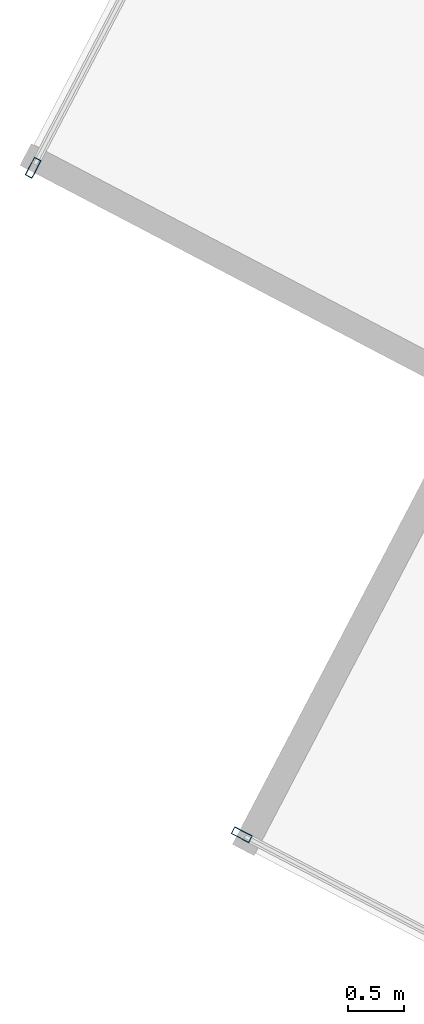
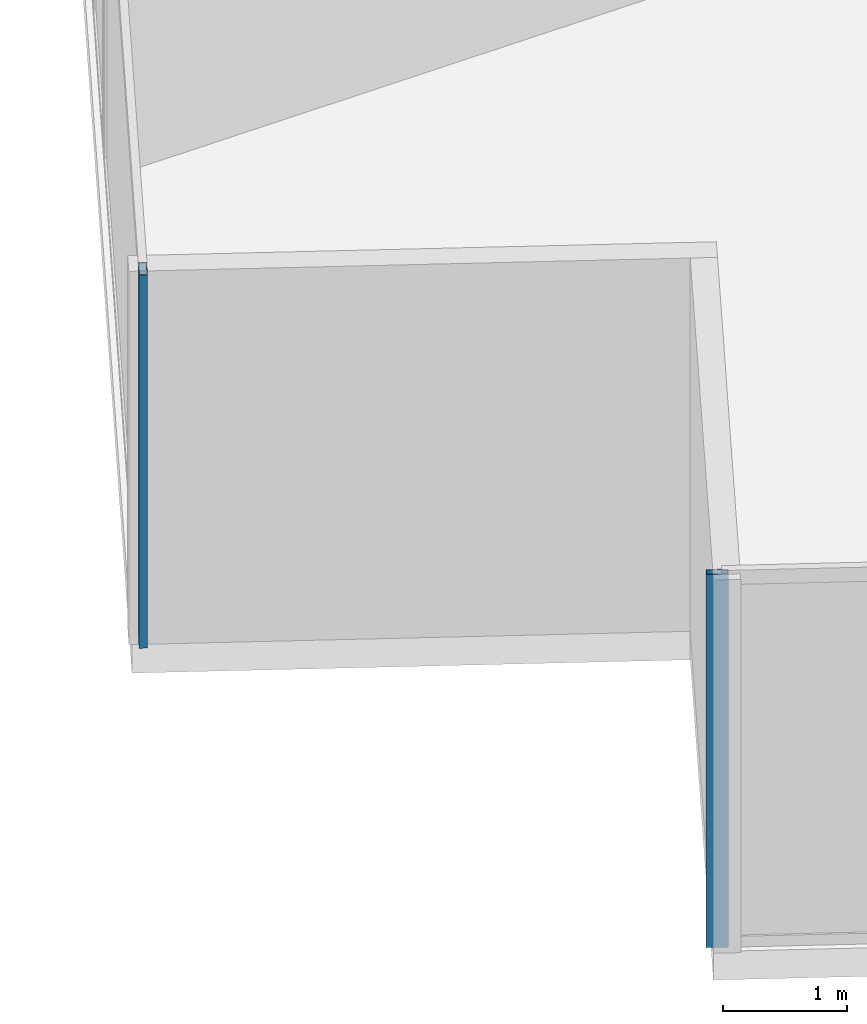
# One storey, part 5 of 27: 2 members, 2 elements without a shape of their own.
"""IFC4 building model written with IfcOpenShell, lengths in metres."""

import ifcopenshell
import ifcopenshell.guid

model = None  # the IFC model being written
_history = None  # IfcOwnerHistory: only IFC2X3 demands one
_inside = {}  # id of a spatial element -> (the spatial element, [elements in it])
_under = {}  # id of a project, library or spatial element -> (it, [spatial elements below it])
_declared = {}  # id of a project -> (the project, [libraries it declares])
_typed = {}  # id of a type object -> (the type object, [elements of that type])
_made_of = {}  # id of a material, layer set ... -> (it, [elements and type objects made of it])


def new_model(schema):
    """Start an empty IFC model of exactly this schema.

    Asked for "IFC4X3", IfcOpenShell would pick the latest addendum, in which some entities
    have other attributes; the version numbers below select the first issue.
    IFC2X3 requires an IfcOwnerHistory on every rooted entity: one is made here for all.
    """
    global model, _history
    if schema == "IFC4X3":
        model = ifcopenshell.file(schema_version=(4, 3, 0, 0))
    else:
        model = ifcopenshell.file(schema=schema)
    _inside.clear()
    _under.clear()
    _declared.clear()
    _typed.clear()
    _made_of.clear()
    _history = None
    if model.schema == "IFC2X3":
        org = make("IfcOrganization", Name="unknown")
        user = make(
            "IfcPersonAndOrganization",
            ThePerson=make("IfcPerson", FamilyName="unknown"),
            TheOrganization=org,
        )
        app = make(
            "IfcApplication",
            ApplicationDeveloper=org,
            Version="unknown",
            ApplicationFullName="unknown",
            ApplicationIdentifier="unknown",
        )
        _history = make(
            "IfcOwnerHistory",
            OwningUser=user,
            OwningApplication=app,
            ChangeAction="ADDED",
            CreationDate=0,
        )
    return model


def make(cls, **values):
    """One entity of the class cls with the attributes given. An attribute that is None is left unset."""
    return model.create_entity(
        cls, **{name: value for name, value in values.items() if value is not None}
    )


def rooted(cls, **values):
    """An entity with a GlobalId (a new one), such as an element, a storey or a relation."""
    return make(cls, GlobalId=ifcopenshell.guid.new(), OwnerHistory=_history, **values)


def si_unit(unit_type, name, prefix=None):
    """IfcSIUnit, for example si_unit("LENGTHUNIT", "METRE", prefix="MILLI")."""
    return make("IfcSIUnit", UnitType=unit_type, Prefix=prefix, Name=name)


def assignment(units):
    """IfcUnitAssignment: the units of a project."""
    return None if units is None else make("IfcUnitAssignment", Units=units)


def point(xyz):
    """IfcCartesianPoint."""
    return None if xyz is None else make("IfcCartesianPoint", Coordinates=xyz)


def direction(xyz):
    """IfcDirection."""
    return None if xyz is None else make("IfcDirection", DirectionRatios=xyz)


def frame(location, z_axis=None, x_axis=None):
    """IfcAxis2Placement3D, a coordinate frame: its origin and axes. An axis left out is left unset."""
    return make(
        "IfcAxis2Placement3D",
        Location=point(location),
        Axis=direction(z_axis),
        RefDirection=direction(x_axis),
    )


def frame_2d(location, x_axis=None):
    """IfcAxis2Placement2D, a coordinate frame in the plane: its origin and x axis."""
    return make(
        "IfcAxis2Placement2D", Location=point(location), RefDirection=direction(x_axis)
    )


def origin():
    """The frame at (0, 0, 0) with its axes left unset."""
    return frame((0.0, 0.0, 0.0))


def origin_2d():
    """The frame at (0, 0) in the plane with its x axis left unset."""
    return frame_2d((0.0, 0.0))


def place(relative_to, where):
    """IfcLocalPlacement: puts the frame where relative to a parent placement (None: the world)."""
    return make(
        "IfcLocalPlacement", PlacementRelTo=relative_to, RelativePlacement=where
    )


def context(
    kind, dimensions, precision=None, world=None, true_north=None, identifier=None
):
    """IfcGeometricRepresentationContext, for example the 3D "Model" context."""
    return make(
        "IfcGeometricRepresentationContext",
        ContextIdentifier=identifier,
        ContextType=kind,
        CoordinateSpaceDimension=dimensions,
        Precision=precision,
        WorldCoordinateSystem=world,
        TrueNorth=true_north,
    )


def subcontext(parent, identifier, kind, view, scale=None):
    """IfcGeometricRepresentationSubContext, for example "Body" below "Model"."""
    return make(
        "IfcGeometricRepresentationSubContext",
        ContextIdentifier=identifier,
        ContextType=kind,
        ParentContext=parent,
        TargetScale=scale,
        TargetView=view,
    )


def project(units=None, contexts=None):
    """IfcProject with its units and contexts."""
    return rooted(
        "IfcProject",
        Name="project",
        RepresentationContexts=contexts,
        UnitsInContext=assignment(units),
    )


def spatial(cls, under=None, at=None, **own):
    """A site, building, storey or space (cls), placed at a placement, below another one or the project."""
    s = rooted(cls, ObjectPlacement=at, **own)
    if under is not None:
        _under.setdefault(under.id(), (under, []))[1].append(s)
    return s


def profile(cls, at=None, kind="AREA", **sizes):
    """A parametric profile (cls). Its sizes go by their IFC names, for example OverallWidth=200.0."""
    return make(cls, ProfileType=kind, Position=at, **sizes)


def hollow_rectangle(**sizes):
    """IfcRectangleHollowProfileDef."""
    return profile("IfcRectangleHollowProfileDef", **sizes)


def extrude(swept, where, along, depth):
    """IfcExtrudedAreaSolid: the profile swept, set in the frame where, extruded along a direction by depth."""
    return make(
        "IfcExtrudedAreaSolid",
        SweptArea=swept,
        Position=where,
        ExtrudedDirection=direction(along),
        Depth=depth,
    )


def shape(context_of_items, identifier, shape_type, items):
    """IfcShapeRepresentation: the items that make up one representation, for example the "Body"."""
    return make(
        "IfcShapeRepresentation",
        ContextOfItems=context_of_items,
        RepresentationIdentifier=identifier,
        RepresentationType=shape_type,
        Items=items,
    )


def source(mapping_origin, context_of_items, identifier, shape_type, items):
    """IfcRepresentationMap: a shape defined once, which mapped items show again and again."""
    return make(
        "IfcRepresentationMap",
        MappingOrigin=mapping_origin,
        MappedRepresentation=shape(context_of_items, identifier, shape_type, items),
    )


def transform(
    local_origin,
    x_axis=None,
    y_axis=None,
    z_axis=None,
    scale=None,
    scale2=None,
    scale3=None,
    uniform=True,
):
    """IfcCartesianTransformationOperator3D, or its non-uniform kind. x_axis, y_axis, z_axis: its Axis1, 2, 3."""
    if uniform:
        return make(
            "IfcCartesianTransformationOperator3D",
            Axis1=direction(x_axis),
            Axis2=direction(y_axis),
            LocalOrigin=point(local_origin),
            Scale=scale,
            Axis3=direction(z_axis),
        )
    return make(
        "IfcCartesianTransformationOperator3DnonUniform",
        Axis1=direction(x_axis),
        Axis2=direction(y_axis),
        LocalOrigin=point(local_origin),
        Scale=scale,
        Axis3=direction(z_axis),
        Scale2=scale2,
        Scale3=scale3,
    )


def mapped(mapping_source, mapping_target):
    """IfcMappedItem: shows the shape of a source again, moved by a transform."""
    return make(
        "IfcMappedItem", MappingSource=mapping_source, MappingTarget=mapping_target
    )


def material(Name=None, Category=None):
    """IfcMaterial."""
    return make("IfcMaterial", Name=Name, Category=Category)


def material_profile(
    of_material, cross_section, Name=None, Category=None, Priority=None
):
    """IfcMaterialProfile: a cross section and its material."""
    return make(
        "IfcMaterialProfile",
        Name=Name,
        Material=of_material,
        Profile=cross_section,
        Priority=Priority,
        Category=Category,
    )


def profile_set(profiles, Name=None, composite=None):
    """IfcMaterialProfileSet."""
    return make(
        "IfcMaterialProfileSet",
        Name=Name,
        MaterialProfiles=profiles,
        CompositeProfile=composite,
    )


def made_of(thing, what):
    """Note that an element or type object is made of a material, layer set ...; save() writes the relation."""
    if what is not None:
        _made_of.setdefault(what.id(), (what, []))[1].append(thing)
    return thing


def type_object(cls, material=None, **own):
    """A type object (cls), such as IfcWallType, which elements share."""
    return made_of(rooted(cls, **own), material)


def type_shapes(of_type, sources):
    """Give a type object the sources (RepresentationMaps) that its elements show as mapped items."""
    of_type.RepresentationMaps = sources


def element(
    cls,
    number,
    at=None,
    inside=None,
    cuts=None,
    type_object=None,
    material=None,
    context=None,
    identifier="Body",
    shape_type=None,
    held_by="IfcProductDefinitionShape",
    body=None,
    shapes=None,
    **own,
):
    """One element of the class cls, such as IfcWall. Its Tag is "e" and its number.

    at: its placement. inside: the storey or other place that contains it. cuts: it is an
    opening in that element (IfcRelVoidsElement). A single representation is given by context,
    identifier, shape_type and body (its items); several are given by shapes. held_by: the class
    of the entity that holds the representations. save() writes the other relations.
    """
    e = rooted(cls, Tag="e%d" % number, ObjectPlacement=at, **own)
    if body is not None:
        shapes = [shape(context, identifier, shape_type, body)]
    if shapes is not None:
        e.Representation = make(held_by, Representations=shapes)
    if inside is not None:
        _inside.setdefault(inside.id(), (inside, []))[1].append(e)
    if cuts is not None:
        rooted(
            "IfcRelVoidsElement", RelatingBuildingElement=cuts, RelatedOpeningElement=e
        )
    if type_object is not None:
        _typed.setdefault(type_object.id(), (type_object, []))[1].append(e)
    return made_of(e, material)


def aggregate(whole, parts):
    """IfcRelAggregates: a whole, such as a stair, and the parts it consists of."""
    return rooted("IfcRelAggregates", RelatingObject=whole, RelatedObjects=parts)


def save(model, path):
    """Write the relations noted so far, then the file.

    IfcRelAggregates (storeys below a building ...), IfcRelContainedInSpatialStructure (elements
    in a storey), IfcRelDefinesByType, IfcRelAssociatesMaterial and IfcRelDeclares: one each for
    every whole, place, type object, material and project.
    """
    for whole, parts in _under.values():
        aggregate(whole, parts)
    for where, things in _inside.values():
        rooted(
            "IfcRelContainedInSpatialStructure",
            RelatedElements=things,
            RelatingStructure=where,
        )
    for kind, things in _typed.values():
        rooted("IfcRelDefinesByType", RelatedObjects=things, RelatingType=kind)
    for what, things in _made_of.values():
        rooted("IfcRelAssociatesMaterial", RelatedObjects=things, RelatingMaterial=what)
    for by, libraries in _declared.values():
        rooted("IfcRelDeclares", RelatingContext=by, RelatedDefinitions=libraries)
    model.write(path)


model = new_model("IFC4")

# Units and contexts
model_context = context("Model", 3, precision=1e-05, world=origin(), true_north=direction((0.0, 1.0)))
body_context = subcontext(model_context, "Body", "Model", "MODEL_VIEW")
ifc_project = project(units=[si_unit("LENGTHUNIT", "METRE"), si_unit("AREAUNIT", "SQUARE_METRE"), si_unit("VOLUMEUNIT", "CUBIC_METRE"), si_unit("PLANEANGLEUNIT", "RADIAN"), si_unit("MASSUNIT", "GRAM", prefix="KILO")], contexts=[model_context])

# Site, building, storey
site_placement = place(None, origin())
site = spatial("IfcSite", under=ifc_project, at=site_placement, CompositionType="ELEMENT")
building_placement = place(site_placement, origin())
building = spatial("IfcBuilding", under=site, at=building_placement, Name="Krantzveldt Concourse Tower", CompositionType="ELEMENT")
storey_placement = place(building_placement, frame((0.0, 0.0, 158.050048828125)))
storey = spatial("IfcBuildingStorey", under=building, at=storey_placement, Name="L38", CompositionType="ELEMENT", Elevation=158.050048828125)

# Curtain wall, member
ifc_material = material(Name="Anodised aluminium 6063-T6", Category="aluminium")
curtain_wall_type = type_object("IfcCurtainWallType", Name="CW3", PredefinedType="USERDEFINED", material=ifc_material)
curtain_wall_1_placement = place(storey_placement, origin())
curtain_wall_1 = element("IfcCurtainWall", 1, at=curtain_wall_1_placement, inside=storey, type_object=curtain_wall_type, Name="CW-L38-F01", ObjectType="UNITISED CURTAIN WALL", PredefinedType="USERDEFINED")
ifc_material_profile = material_profile(ifc_material, hollow_rectangle(XDim=0.070068359375, YDim=0.179931640625, WallThickness=0.0048828125, at=origin_2d()), Name="Anodised aluminium 6063-T6", Category="aluminium")
ifc_profile_set = profile_set([ifc_material_profile], Name="Anodised aluminium 6063-T6 - ALU-MULL 180x70x5")
member_type = type_object("IfcMemberType", Name="CW-MUL-180", PredefinedType="MULLION", material=ifc_profile_set)
shared_shape = source(origin(), body_context, "Body", "SweptSolid", [
    extrude(hollow_rectangle(XDim=0.070068359375, YDim=0.179931640625, WallThickness=0.0048828125, at=origin_2d()), origin(), (0.0, 0.0, 1.0), 3.669921875),
])
type_shapes(member_type, [shared_shape])
member_1_placement = place(storey_placement, frame((8.62451171875, 21.427490234375, 0.0), z_axis=(0.0, 0.0, 1.0), x_axis=(0.886001265743, -0.463682819502, 0.0)))
member_1 = element("IfcMember", 2, at=member_1_placement, type_object=member_type, Name="CW-Z34 mullion 6", PredefinedType="MULLION", context=body_context, shape_type="MappedRepresentation", body=[
    mapped(shared_shape, transform((0.0, 0.0, 0.0), x_axis=(1.0, 0.0, 0.0), y_axis=(0.0, 1.0, 0.0), z_axis=(0.0, 0.0, 1.0), scale=1.0)),
])
aggregate(curtain_wall_1, [member_1])

curtain_wall_2_placement = place(storey_placement, origin())
curtain_wall_2 = element("IfcCurtainWall", 3, at=curtain_wall_2_placement, inside=storey, type_object=curtain_wall_type, Name="CW-L38-F04", ObjectType="UNITISED CURTAIN WALL", PredefinedType="USERDEFINED")
member_2_placement = place(storey_placement, frame((10.501708984375, 15.42822265625, 0.0), z_axis=(0.0, 0.0, 1.0), x_axis=(0.463682819502, 0.886001265743, 0.0)))
member_2 = element("IfcMember", 4, at=member_2_placement, type_object=member_type, Name="CW-Z34 mullion 1", PredefinedType="MULLION", context=body_context, shape_type="MappedRepresentation", body=[
    mapped(shared_shape, transform((0.0, 0.0, 0.0), x_axis=(1.0, 0.0, 0.0), y_axis=(0.0, 1.0, 0.0), z_axis=(0.0, 0.0, 1.0), scale=1.0)),
])
aggregate(curtain_wall_2, [member_2])

save(model, "model.ifc")
